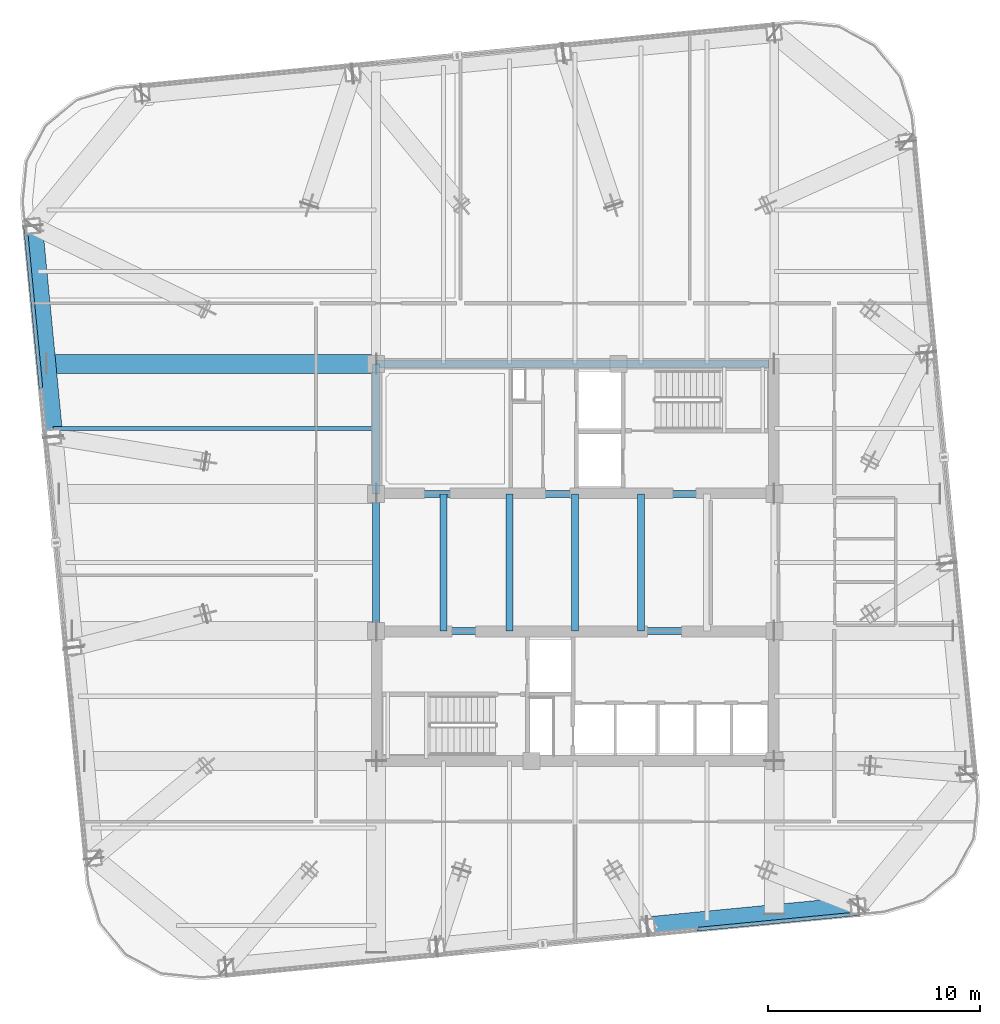
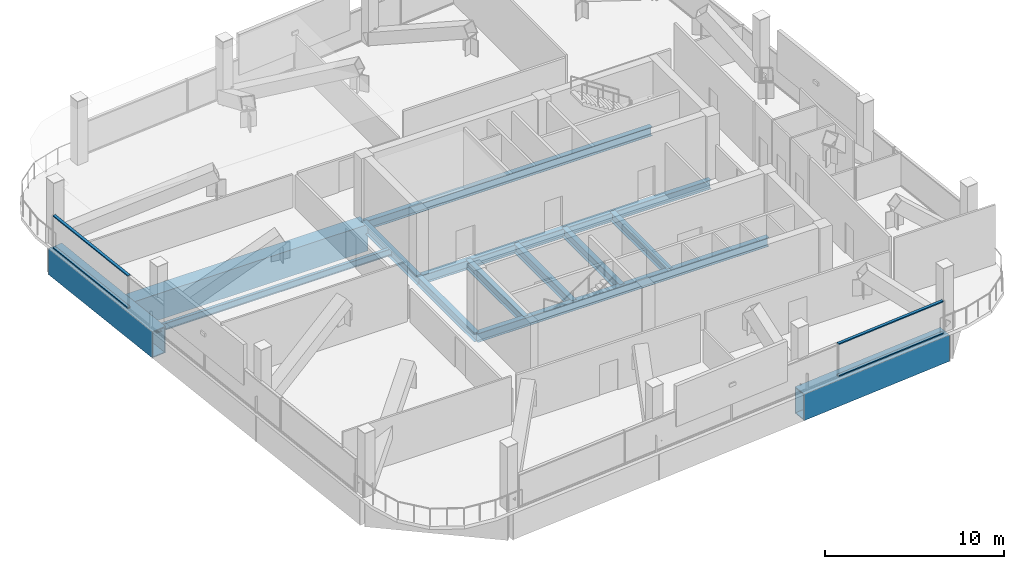
# One storey, part 7 of 22: 13 beams, 4 members, 2 elements without a shape of their own.
"""IFC4 building model written with IfcOpenShell, lengths in metres."""

from ifc_helpers import new_model, si_unit, direction, frame, origin, origin_2d, place, context, subcontext, project, spatial, hollow_rectangle, i_section, extrude, material, layer, layer_set, material_profile, profile_set, type_object, element, aggregate, save


model = new_model("IFC4")

# Units and contexts
model_context = context("Model", 3, precision=1e-05, world=origin(), true_north=direction((0.0, 1.0)))
body_context = subcontext(model_context, "Body", "Model", "MODEL_VIEW")
ifc_project = project(units=[si_unit("LENGTHUNIT", "METRE"), si_unit("AREAUNIT", "SQUARE_METRE"), si_unit("VOLUMEUNIT", "CUBIC_METRE"), si_unit("PLANEANGLEUNIT", "RADIAN"), si_unit("MASSUNIT", "GRAM", prefix="KILO")], contexts=[model_context])

# Site, building, storey
site_placement = place(None, origin())
site = spatial("IfcSite", under=ifc_project, at=site_placement, CompositionType="ELEMENT")
building_placement = place(site_placement, origin())
building = spatial("IfcBuilding", under=site, at=building_placement, Name="Qhalaya Broadcast Tower", CompositionType="ELEMENT")
storey_placement = place(building_placement, frame((0.0, 0.0, 183.60009765625)))
storey = spatial("IfcBuildingStorey", under=building, at=storey_placement, Name="L54", CompositionType="ELEMENT", Elevation=183.60009765625)

# Beams
ifc_material_1 = material(Name="Structural Steel ASTM A572 Grade 50", Category="steel")
ifc_material_profile_1 = material_profile(ifc_material_1, hollow_rectangle(XDim=0.89990234375, YDim=1.800048828125, WallThickness=0.06005859375, at=origin_2d()), Name="BOX 900x1800x60")
ifc_profile_set_1 = profile_set([ifc_material_profile_1], Name="Structural Steel ASTM A572 Grade 50")
beam_type_1 = type_object("IfcBeamType", Name="Block Cantilever Transfer Box Girder TG1", PredefinedType="USERDEFINED", material=ifc_profile_set_1)
for number, where, z_axis, x_axis, name in (
    (1, (3.399658203125, -16.537353515625, -1.1201171875), (0.995395510024, 0.095852900965, 0.0), (-0.095852900965, 0.995395510024, 0.0), "L54 TG1 L54-SPR-03"),
    (2, (-25.52783203125, 16.44189453125, -1.1201171875), (0.095852900965, -0.995395510024, 0.0), (0.995395510024, 0.095852900965, 0.0), "L54 TG1 L54-SPR-13"),
):
    element("IfcBeam", number, at=place(storey_placement, frame(where, z_axis=z_axis, x_axis=x_axis)), inside=storey, type_object=beam_type_1, Name=name, ObjectType="GIRDER", PredefinedType="USERDEFINED", context=body_context, shape_type="SweptSolid", body=[
        extrude(hollow_rectangle(XDim=0.89990234375, YDim=1.800048828125, WallThickness=0.06005859375, at=origin_2d()), origin(), (0.0, 0.0, 1.0), 9.966552734375),
    ])
beam_1_placement = place(storey_placement, frame((-24.882568359375, 9.949951171875, -1.1201171875), z_axis=(1.0, 0.0, 0.0), x_axis=(0.0, 1.0, 0.0)))
element("IfcBeam", 3, at=beam_1_placement, inside=storey, type_object=beam_type_1, Name="L54 TG1 L54-PGYW4-1", ObjectType="GIRDER", PredefinedType="USERDEFINED", context=body_context, shape_type="SweptSolid", body=[
    extrude(hollow_rectangle(XDim=0.89990234375, YDim=1.800048828125, WallThickness=0.06005859375, at=origin_2d()), origin(), (0.0, 0.0, 1.0), 15.507568359375),
])
ifc_material_2 = material(Name="Structural Steel ASTM A992 Grade 50", Category="steel")
ifc_material_profile_2 = material_profile(ifc_material_2, i_section(OverallWidth=0.19189453125, OverallDepth=0.462890625, WebThickness=0.010498046875, FlangeThickness=0.017578125, at=origin_2d()), Name="W18X60")
ifc_profile_set_2 = profile_set([ifc_material_profile_2], Name="Structural Steel ASTM A992 Grade 50")
beam_type_2 = type_object("IfcBeamType", Name="Composite Floor Joist J03", PredefinedType="JOIST", material=ifc_profile_set_2)
beam_2_placement = place(storey_placement, frame((-24.589111328125, 6.89990234375, -0.45166015625), z_axis=(1.0, 0.0, 0.0), x_axis=(0.0, 1.0, 0.0)))
element("IfcBeam", 4, at=beam_2_placement, inside=storey, type_object=beam_type_2, Name="L54 J03 L54-JWE5W-1", PredefinedType="JOIST", context=body_context, shape_type="SweptSolid", body=[
    extrude(i_section(OverallWidth=0.19189453125, OverallDepth=0.462890625, WebThickness=0.010498046875, FlangeThickness=0.017578125, at=origin_2d()), origin(), (0.0, 0.0, 1.0), 15.214111328125),
])
ifc_material_profile_3 = material_profile(ifc_material_2, i_section(OverallWidth=0.323974609375, OverallDepth=0.612060546875, WebThickness=0.0126953125, FlangeThickness=0.01904296875, at=origin_2d()), Name="W24X104")
ifc_profile_set_3 = profile_set([ifc_material_profile_3], Name="Structural Steel ASTM A992 Grade 50")
beam_type_3 = type_object("IfcBeamType", Name="Core Frame Tie Beam B04", PredefinedType="BEAM", material=ifc_profile_set_3)
beam_3_placement = place(storey_placement, frame((-9.375, 3.824951171875, -0.526123046875), z_axis=(1.0, 0.0, 0.0), x_axis=(0.0, 1.0, 0.0)))
element("IfcBeam", 5, at=beam_3_placement, inside=storey, type_object=beam_type_3, Name="L54 B04 L54-CCN1", PredefinedType="BEAM", context=body_context, shape_type="SweptSolid", body=[
    extrude(i_section(OverallWidth=0.323974609375, OverallDepth=0.612060546875, WebThickness=0.0126953125, FlangeThickness=0.01904296875, at=origin_2d()), origin(), (0.0, 0.0, 1.0), 18.75),
])
beam_4_placement = place(storey_placement, frame((-9.375, 3.824951171875, -0.526123046875), z_axis=(0.0, 1.0, 0.0), x_axis=(-1.0, 0.0, 0.0)))
element("IfcBeam", 6, at=beam_4_placement, inside=storey, type_object=beam_type_3, Name="L54 B04 L54-CCN2", PredefinedType="BEAM", context=body_context, shape_type="SweptSolid", body=[
    extrude(i_section(OverallWidth=0.323974609375, OverallDepth=0.612060546875, WebThickness=0.0126953125, FlangeThickness=0.01904296875, at=origin_2d()), origin(), (0.0, 0.0, 1.0), 6.125),
])
beam_5_placement = place(storey_placement, frame((-9.375, 9.949951171875, -0.526123046875), z_axis=(1.0, 0.0, 0.0), x_axis=(0.0, 1.0, 0.0)))
element("IfcBeam", 7, at=beam_5_placement, inside=storey, type_object=beam_type_3, Name="L54 B04 L54-CCN3", PredefinedType="BEAM", context=body_context, shape_type="SweptSolid", body=[
    extrude(i_section(OverallWidth=0.323974609375, OverallDepth=0.612060546875, WebThickness=0.0126953125, FlangeThickness=0.01904296875, at=origin_2d()), origin(), (0.0, 0.0, 1.0), 18.4951171875),
])
beam_6_placement = place(storey_placement, frame((-9.375, -2.625, -0.526123046875), z_axis=(1.0, 0.0, 0.0), x_axis=(0.0, 1.0, 0.0)))
element("IfcBeam", 8, at=beam_6_placement, inside=storey, type_object=beam_type_3, Name="L54 B04 L54-CCS1", PredefinedType="BEAM", context=body_context, shape_type="SweptSolid", body=[
    extrude(i_section(OverallWidth=0.323974609375, OverallDepth=0.612060546875, WebThickness=0.0126953125, FlangeThickness=0.01904296875, at=origin_2d()), origin(), (0.0, 0.0, 1.0), 18.75),
])
for number, where, z_axis, x_axis, name in (
    (9, (-9.375, -2.625, -0.526123046875), (0.0, 1.0, 0.0), (-1.0, 0.0, 0.0), "L54 B04 L54-CCW"),
    (10, (-6.199951171875, -2.625, -0.526123046875), (0.0, 1.0, 0.0), (-1.0, 0.0, 0.0), "L54 B04 L54-JC1-1"),
    (11, (-3.10009765625, -2.625, -0.526123046875), (0.0, 1.0, 0.0), (-1.0, 0.0, 0.0), "L54 B04 L54-JC2-1"),
    (12, (0.0, -2.625, -0.526123046875), (0.0, 1.0, 0.0), (-1.0, 0.0, 0.0), "L54 B04 L54-JC3-1"),
    (13, (3.10009765625, -2.625, -0.526123046875), (0.0, 1.0, 0.0), (-1.0, 0.0, 0.0), "L54 B04 L54-JC4-1"),
):
    element("IfcBeam", number, at=place(storey_placement, frame(where, z_axis=z_axis, x_axis=x_axis)), inside=storey, type_object=beam_type_3, Name=name, PredefinedType="BEAM", context=body_context, shape_type="SweptSolid", body=[
        extrude(i_section(OverallWidth=0.323974609375, OverallDepth=0.612060546875, WebThickness=0.0126953125, FlangeThickness=0.01904296875, at=origin_2d()), origin(), (0.0, 0.0, 1.0), 6.449951171875),
    ])

# Curtain wall, members
ifc_material_3 = material(Name="Fired Architectural Terracotta", Category="masonry")
ifc_layer = layer(ifc_material_3, 0.219970703125, Name="Fired Architectural Terracotta")
ifc_layer_set = layer_set([ifc_layer], Name="Fired Architectural Terracotta")
curtain_wall_type = type_object("IfcCurtainWallType", Name="Block-Cap Unitised Terracotta Spandrel Wall CW-07", PredefinedType="NOTDEFINED", material=ifc_layer_set)
curtain_wall_1_placement = place(storey_placement, origin())
curtain_wall_1 = element("IfcCurtainWall", 14, at=curtain_wall_1_placement, inside=storey, type_object=curtain_wall_type, Name="L54 Unitised Curtain Wall L54-CW-S", PredefinedType="NOTDEFINED")
ifc_material_4 = material(Name="Anodised Aluminium 6063-T6", Category="aluminium")
ifc_material_profile_4 = material_profile(ifc_material_4, hollow_rectangle(XDim=0.074951171875, YDim=0.179931640625, WallThickness=0.00390625, at=origin_2d()), Name="ALU-TRN 75x180x4")
ifc_profile_set_4 = profile_set([ifc_material_profile_4], Name="Anodised Aluminium 6063-T6")
member_type = type_object("IfcMemberType", Name="Unitised Curtain-Wall Transom T01", PredefinedType="USERDEFINED", material=ifc_profile_set_4)
member_1_placement = place(storey_placement, frame((12.94384765625, -15.97998046875, 0.037353515625), z_axis=(-0.99539639748, -0.095843684629, 0.0), x_axis=(0.0, 0.0, 1.0)))
member_1 = element("IfcMember", 15, at=member_1_placement, type_object=member_type, Name="CW-07 transom 1.1", ObjectType="TRANSOM", PredefinedType="USERDEFINED", context=body_context, shape_type="SweptSolid", body=[
    extrude(hollow_rectangle(XDim=0.074951171875, YDim=0.179931640625, WallThickness=0.00390625, at=origin_2d()), origin(), (0.0, 0.0, 1.0), 7.193603515625),
])
member_2_placement = place(storey_placement, frame((12.94384765625, -15.97998046875, 2.21240234375), z_axis=(-0.99539639748, -0.095843684629, 0.0), x_axis=(0.0, 0.0, 1.0)))
member_2 = element("IfcMember", 16, at=member_2_placement, type_object=member_type, Name="CW-07 transom 1.2", ObjectType="TRANSOM", PredefinedType="USERDEFINED", context=body_context, shape_type="SweptSolid", body=[
    extrude(hollow_rectangle(XDim=0.074951171875, YDim=0.179931640625, WallThickness=0.00390625, at=origin_2d()), origin(), (0.0, 0.0, 1.0), 7.193603515625),
])
aggregate(curtain_wall_1, [member_1, member_2])

curtain_wall_2_placement = place(storey_placement, origin())
curtain_wall_2 = element("IfcCurtainWall", 17, at=curtain_wall_2_placement, inside=storey, type_object=curtain_wall_type, Name="L54 Unitised Curtain Wall L54-CW-W", PredefinedType="NOTDEFINED")
member_3_placement = place(storey_placement, frame((-25.1572265625, 8.8359375, 0.037353515625), z_axis=(-0.095843684629, 0.99539639748, 0.0), x_axis=(0.0, 0.0, 1.0)))
member_3 = element("IfcMember", 18, at=member_3_placement, type_object=member_type, Name="CW-07 transom 4.1", ObjectType="TRANSOM", PredefinedType="USERDEFINED", context=body_context, shape_type="SweptSolid", body=[
    extrude(hollow_rectangle(XDim=0.074951171875, YDim=0.179931640625, WallThickness=0.00390625, at=origin_2d()), origin(), (0.0, 0.0, 1.0), 7.193603515625),
])
member_4_placement = place(storey_placement, frame((-25.1572265625, 8.8359375, 2.21240234375), z_axis=(-0.095843684629, 0.99539639748, 0.0), x_axis=(0.0, 0.0, 1.0)))
member_4 = element("IfcMember", 19, at=member_4_placement, type_object=member_type, Name="CW-07 transom 4.2", ObjectType="TRANSOM", PredefinedType="USERDEFINED", context=body_context, shape_type="SweptSolid", body=[
    extrude(hollow_rectangle(XDim=0.074951171875, YDim=0.179931640625, WallThickness=0.00390625, at=origin_2d()), origin(), (0.0, 0.0, 1.0), 7.193603515625),
])
aggregate(curtain_wall_2, [member_3, member_4])

save(model, "model.ifc")
